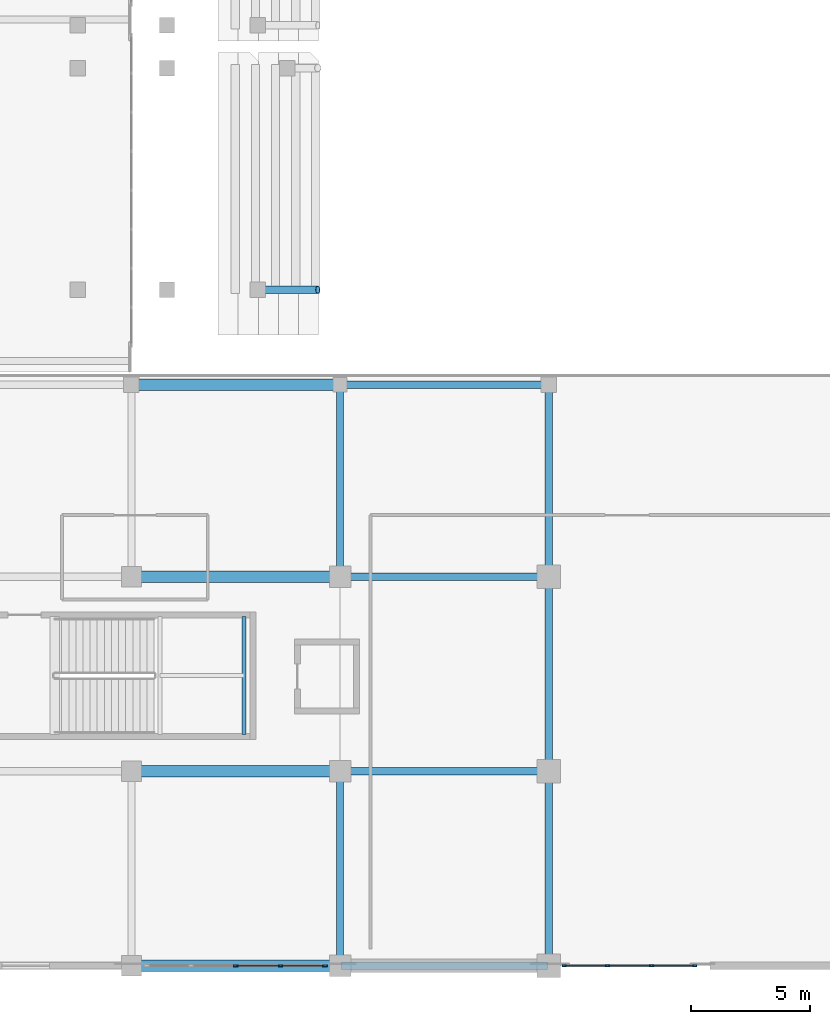
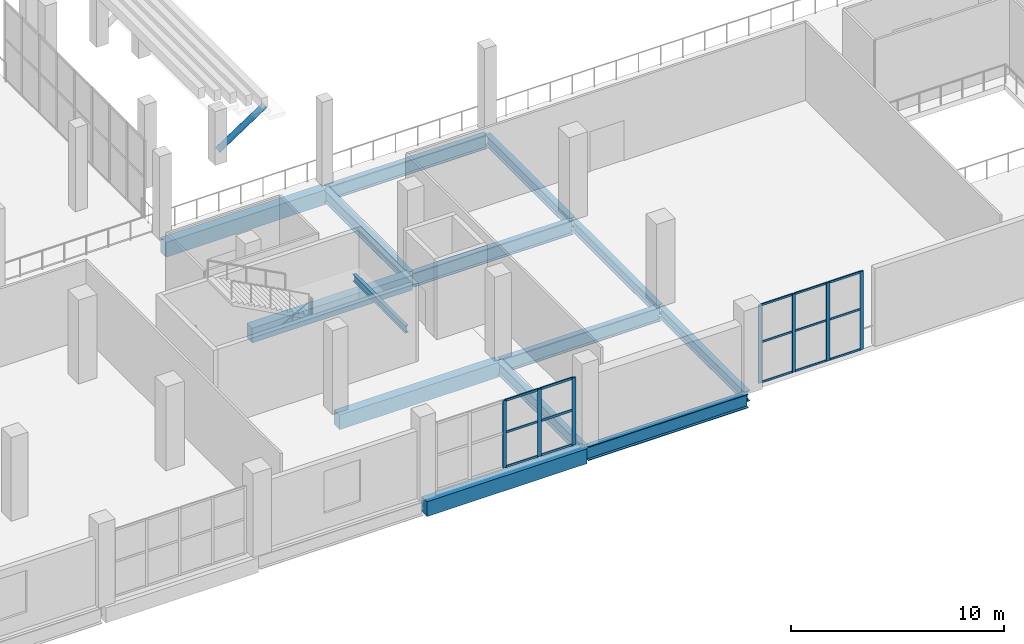
# One storey, part 25 of 142: 23 members, 14 beams, 2 elements without a shape of their own.
"""IFC4 building model written with IfcOpenShell, lengths in metres."""

from ifc_helpers import new_model, si_unit, direction, frame, origin, origin_2d, place, context, subcontext, project, spatial, rectangle, hollow_circle, i_section, extrude, material, material_profile, profile_set, type_object, element, aggregate, save


model = new_model("IFC4")

# Units and contexts
model_context = context("Model", 3, precision=1e-05, world=origin(), true_north=direction((0.0, 1.0)))
body_context = subcontext(model_context, "Body", "Model", "MODEL_VIEW")
ifc_project = project(units=[si_unit("LENGTHUNIT", "METRE"), si_unit("AREAUNIT", "SQUARE_METRE"), si_unit("VOLUMEUNIT", "CUBIC_METRE"), si_unit("PLANEANGLEUNIT", "RADIAN"), si_unit("MASSUNIT", "GRAM", prefix="KILO")], contexts=[model_context])

# Site, building, storey
site_placement = place(None, origin())
site = spatial("IfcSite", under=ifc_project, at=site_placement, CompositionType="ELEMENT")
building_placement = place(site_placement, origin())
building = spatial("IfcBuilding", under=site, at=building_placement, Name="Koshinbarg Plaza Stadium", CompositionType="ELEMENT")
storey_placement = place(building_placement, frame((0.0, 0.0, 10.199951171875)))
storey = spatial("IfcBuildingStorey", under=building, at=storey_placement, Name="L02", CompositionType="ELEMENT", Elevation=10.199951171875)

# Beams
ifc_material_1 = material(Name="Concrete C40/50", Category="concrete")
ifc_material_profile_1 = material_profile(ifc_material_1, rectangle(XDim=0.5, YDim=0.85009765625, at=origin_2d()), Name="RC 500x850")
ifc_profile_set_1 = profile_set([ifc_material_profile_1], Name="Concrete C40/50")
beam_type_1 = type_object("IfcBeamType", Name="BM-RCG-05", PredefinedType="USERDEFINED", material=ifc_profile_set_1)
for number, where, z_axis, x_axis, name in (
    (1, (63.659912109375, 0.0, -0.724853515625), (1.0, 0.0, 0.0), (0.0, 1.0, 0.0), "L02 X girder A/9-10"),
    (2, (63.659912109375, 8.199951171875, -0.724853515625), (1.0, 0.0, 0.0), (0.0, 1.0, 0.0), "L02 X girder B/9-10"),
    (3, (63.659912109375, 16.39990234375, -0.724853515625), (1.0, 0.0, 0.0), (0.0, 1.0, 0.0), "L02 X girder C/9-10"),
    (4, (63.659912109375, 24.5, -0.724853515625), (1.0, 0.0, 0.0), (0.0, 1.0, 0.0), "L02 X girder D/9-10"),
):
    element("IfcBeam", number, at=place(storey_placement, frame(where, z_axis=z_axis, x_axis=x_axis)), inside=storey, type_object=beam_type_1, Name=name, ObjectType="GIRDER", PredefinedType="USERDEFINED", context=body_context, shape_type="SweptSolid", body=[
        extrude(rectangle(XDim=0.5, YDim=0.85009765625, at=origin_2d()), origin(), (0.0, 0.0, 1.0), 8.68017578125),
    ])
ifc_material_2 = material(Name="Steel S355", Category="steel")
ifc_material_profile_2 = material_profile(ifc_material_2, i_section(OverallWidth=0.179931640625, OverallDepth=0.39990234375, WebThickness=0.008544921875, FlangeThickness=0.013427734375, at=origin_2d()), Name="IPE 400")
ifc_profile_set_2 = profile_set([ifc_material_profile_2], Name="Steel S355")
beam_type_2 = type_object("IfcBeamType", Name="BM-SBM-01", PredefinedType="BEAM", material=ifc_profile_set_2)
beam_1_placement = place(storey_placement, frame((68.35009765625, 9.75, 1.880126953125), z_axis=(0.0, 1.0, 0.0), x_axis=(-1.0, 0.0, 0.0)))
element("IfcBeam", 5, at=beam_1_placement, inside=storey, type_object=beam_type_2, Name="L02 Protected Exit Stair C13 landing trimmer beam 2", PredefinedType="BEAM", context=body_context, shape_type="SweptSolid", body=[
    extrude(i_section(OverallWidth=0.179931640625, OverallDepth=0.39990234375, WebThickness=0.008544921875, FlangeThickness=0.013427734375, at=origin_2d()), origin(), (0.0, 0.0, 1.0), 4.969970703125),
])
ifc_material_profile_3 = material_profile(ifc_material_2, i_section(OverallWidth=0.300048828125, OverallDepth=0.60009765625, WebThickness=0.015380859375, FlangeThickness=0.030029296875, at=origin_2d()), Name="HEB 600")
ifc_profile_set_3 = profile_set([ifc_material_profile_3], Name="Steel S355")
beam_type_3 = type_object("IfcBeamType", Name="BM-SGIR-02", PredefinedType="USERDEFINED", material=ifc_profile_set_3)
beam_2_placement = place(storey_placement, frame((81.199951171875, 0.06005859375, -0.599853515625), z_axis=(0.0, 1.0, 0.0), x_axis=(-1.0, 0.0, 0.0)))
element("IfcBeam", 6, at=beam_2_placement, inside=storey, type_object=beam_type_3, Name="L02 Y girder 11/A-B", ObjectType="GIRDER", PredefinedType="USERDEFINED", context=body_context, shape_type="SweptSolid", body=[
    extrude(i_section(OverallWidth=0.300048828125, OverallDepth=0.60009765625, WebThickness=0.015380859375, FlangeThickness=0.030029296875, at=origin_2d()), origin(), (0.0, 0.0, 1.0), 8.079833984375),
])
beam_3_placement = place(storey_placement, frame((81.199951171875, 8.260009765625, -0.599853515625), z_axis=(0.0, 1.0, 0.0), x_axis=(-1.0, 0.0, 0.0)))
element("IfcBeam", 7, at=beam_3_placement, inside=storey, type_object=beam_type_3, Name="L02 Y girder 11/B-C", ObjectType="GIRDER", PredefinedType="USERDEFINED", context=body_context, shape_type="SweptSolid", body=[
    extrude(i_section(OverallWidth=0.300048828125, OverallDepth=0.60009765625, WebThickness=0.015380859375, FlangeThickness=0.030029296875, at=origin_2d()), origin(), (0.0, 0.0, 1.0), 8.080078125),
])
beam_4_placement = place(storey_placement, frame((81.199951171875, 16.4599609375, -0.599853515625), z_axis=(0.0, 1.0, 0.0), x_axis=(-1.0, 0.0, 0.0)))
element("IfcBeam", 8, at=beam_4_placement, inside=storey, type_object=beam_type_3, Name="L02 Y girder 11/C-D", ObjectType="GIRDER", PredefinedType="USERDEFINED", context=body_context, shape_type="SweptSolid", body=[
    extrude(i_section(OverallWidth=0.300048828125, OverallDepth=0.60009765625, WebThickness=0.015380859375, FlangeThickness=0.030029296875, at=origin_2d()), origin(), (0.0, 0.0, 1.0), 7.97998046875),
])
ifc_material_profile_4 = material_profile(ifc_material_2, i_section(OverallWidth=0.300048828125, OverallDepth=0.699951171875, WebThickness=0.01708984375, FlangeThickness=0.031982421875, at=origin_2d()), Name="HEB 700")
ifc_profile_set_4 = profile_set([ifc_material_profile_4], Name="Steel S355")
beam_type_4 = type_object("IfcBeamType", Name="BM-SGIR-03", PredefinedType="USERDEFINED", material=ifc_profile_set_4)
beam_5_placement = place(storey_placement, frame((72.39990234375, 0.06005859375, -0.64990234375), z_axis=(0.0, 1.0, 0.0), x_axis=(-1.0, 0.0, 0.0)))
element("IfcBeam", 9, at=beam_5_placement, inside=storey, type_object=beam_type_4, Name="L02 Y girder 10/A-B", ObjectType="GIRDER", PredefinedType="USERDEFINED", context=body_context, shape_type="SweptSolid", body=[
    extrude(i_section(OverallWidth=0.300048828125, OverallDepth=0.699951171875, WebThickness=0.01708984375, FlangeThickness=0.031982421875, at=origin_2d()), origin(), (0.0, 0.0, 1.0), 8.079833984375),
])
beam_6_placement = place(storey_placement, frame((72.39990234375, 16.4599609375, -0.64990234375), z_axis=(0.0, 1.0, 0.0), x_axis=(-1.0, 0.0, 0.0)))
element("IfcBeam", 10, at=beam_6_placement, inside=storey, type_object=beam_type_4, Name="L02 Y girder 10/C-D", ObjectType="GIRDER", PredefinedType="USERDEFINED", context=body_context, shape_type="SweptSolid", body=[
    extrude(i_section(OverallWidth=0.300048828125, OverallDepth=0.699951171875, WebThickness=0.01708984375, FlangeThickness=0.031982421875, at=origin_2d()), origin(), (0.0, 0.0, 1.0), 7.97998046875),
])
ifc_material_profile_5 = material_profile(ifc_material_2, i_section(OverallWidth=0.300048828125, OverallDepth=0.800048828125, WebThickness=0.017578125, FlangeThickness=0.032958984375, at=origin_2d()), Name="HEB 800")
ifc_profile_set_5 = profile_set([ifc_material_profile_5], Name="Steel S355")
beam_type_5 = type_object("IfcBeamType", Name="BM-SGIR-04", PredefinedType="USERDEFINED", material=ifc_profile_set_5)
for number, where, z_axis, x_axis, name in (
    (11, (72.4599609375, 0.0, -0.699951171875), (1.0, 0.0, 0.0), (0.0, 1.0, 0.0), "L02 X girder A/10-11"),
    (12, (72.4599609375, 8.199951171875, -0.699951171875), (1.0, 0.0, 0.0), (0.0, 1.0, 0.0), "L02 X girder B/10-11"),
    (13, (72.4599609375, 16.39990234375, -0.699951171875), (1.0, 0.0, 0.0), (0.0, 1.0, 0.0), "L02 X girder C/10-11"),
    (14, (72.4599609375, 24.5, -0.699951171875), (1.0, 0.0, 0.0), (0.0, 1.0, 0.0), "L02 X girder D/10-11"),
):
    element("IfcBeam", number, at=place(storey_placement, frame(where, z_axis=z_axis, x_axis=x_axis)), inside=storey, type_object=beam_type_5, Name=name, ObjectType="GIRDER", PredefinedType="USERDEFINED", context=body_context, shape_type="SweptSolid", body=[
        extrude(i_section(OverallWidth=0.300048828125, OverallDepth=0.800048828125, WebThickness=0.017578125, FlangeThickness=0.032958984375, at=origin_2d()), origin(), (0.0, 0.0, 1.0), 8.679931640625),
    ])

# Curtain wall, members
ifc_material_3 = material(Name="Thermally broken anodised aluminium and low-E double glazing", Category="aluminium")
curtain_wall_type_1 = type_object("IfcCurtainWallType", Name="CW-SYS-03", PredefinedType="NOTDEFINED", material=ifc_material_3)
curtain_wall_1_placement = place(storey_placement, origin())
curtain_wall_1 = element("IfcCurtainWall", 15, at=curtain_wall_1_placement, inside=storey, type_object=curtain_wall_type_1, Name="L02 unitised curtain wall CW-L02-066", PredefinedType="NOTDEFINED")
ifc_material_4 = material(Name="Anodised aluminium mullion", Category="aluminium")
ifc_material_profile_6 = material_profile(ifc_material_4, rectangle(XDim=0.070068359375, YDim=0.179931640625, at=origin_2d()), Name="ALU 70x180")
ifc_profile_set_6 = profile_set([ifc_material_profile_6], Name="Anodised aluminium mullion")
member_type_1 = type_object("IfcMemberType", Name="CW-MUL-03", PredefinedType="MULLION", material=ifc_profile_set_6)
member_1_placement = place(storey_placement, frame((87.35009765625, 0.0, 0.0), z_axis=(0.0, 0.0, 1.0), x_axis=(0.0, -1.0, 0.0)))
member_1 = element("IfcMember", 16, at=member_1_placement, type_object=member_type_1, Name="CW03 mullion 1", PredefinedType="MULLION", context=body_context, shape_type="SweptSolid", body=[
    extrude(rectangle(XDim=0.070068359375, YDim=0.179931640625, at=origin_2d()), origin(), (0.0, 0.0, 1.0), 4.47998046875),
])
member_2_placement = place(storey_placement, frame((85.526611328125, 0.0, 0.0), z_axis=(0.0, 0.0, 1.0), x_axis=(0.0, -1.0, 0.0)))
member_2 = element("IfcMember", 17, at=member_2_placement, type_object=member_type_1, Name="CW03 mullion 2", PredefinedType="MULLION", context=body_context, shape_type="SweptSolid", body=[
    extrude(rectangle(XDim=0.070068359375, YDim=0.179931640625, at=origin_2d()), origin(), (0.0, 0.0, 1.0), 4.47998046875),
])
member_3_placement = place(storey_placement, frame((83.67333984375, 0.0, 0.0), z_axis=(0.0, 0.0, 1.0), x_axis=(0.0, -1.0, 0.0)))
member_3 = element("IfcMember", 18, at=member_3_placement, type_object=member_type_1, Name="CW03 mullion 3", PredefinedType="MULLION", context=body_context, shape_type="SweptSolid", body=[
    extrude(rectangle(XDim=0.070068359375, YDim=0.179931640625, at=origin_2d()), origin(), (0.0, 0.0, 1.0), 4.47998046875),
])
member_4_placement = place(storey_placement, frame((81.85009765625, 0.0, 0.0), z_axis=(0.0, 0.0, 1.0), x_axis=(0.0, -1.0, 0.0)))
member_4 = element("IfcMember", 19, at=member_4_placement, type_object=member_type_1, Name="CW03 mullion 4", PredefinedType="MULLION", context=body_context, shape_type="SweptSolid", body=[
    extrude(rectangle(XDim=0.070068359375, YDim=0.179931640625, at=origin_2d()), origin(), (0.0, 0.0, 1.0), 4.47998046875),
])

curtain_wall_type_2 = type_object("IfcCurtainWallType", Name="CW-SYS-04", PredefinedType="NOTDEFINED", material=ifc_material_3)
curtain_wall_2_placement = place(storey_placement, origin())
curtain_wall_2 = element("IfcCurtainWall", 20, at=curtain_wall_2_placement, inside=storey, type_object=curtain_wall_type_2, Name="L02 unitised curtain wall CW-L02-067", PredefinedType="NOTDEFINED")
ifc_material_profile_7 = material_profile(ifc_material_4, rectangle(XDim=0.070068359375, YDim=0.199951171875, at=origin_2d()), Name="ALU 70x200")
ifc_profile_set_7 = profile_set([ifc_material_profile_7], Name="Anodised aluminium mullion")
member_type_2 = type_object("IfcMemberType", Name="CW-MUL-04", PredefinedType="MULLION", material=ifc_profile_set_7)
member_5_placement = place(storey_placement, frame((71.75, 0.0, 0.0), z_axis=(0.0, 0.0, 1.0), x_axis=(0.0, -1.0, 0.0)))
member_5 = element("IfcMember", 21, at=member_5_placement, type_object=member_type_2, Name="CW04 mullion 1", PredefinedType="MULLION", context=body_context, shape_type="SweptSolid", body=[
    extrude(rectangle(XDim=0.070068359375, YDim=0.199951171875, at=origin_2d()), origin(), (0.0, 0.0, 1.0), 3.860107421875),
])
member_6_placement = place(storey_placement, frame((69.889892578125, 0.0, 0.0), z_axis=(0.0, 0.0, 1.0), x_axis=(0.0, -1.0, 0.0)))
member_6 = element("IfcMember", 22, at=member_6_placement, type_object=member_type_2, Name="CW04 mullion 2", PredefinedType="MULLION", context=body_context, shape_type="SweptSolid", body=[
    extrude(rectangle(XDim=0.070068359375, YDim=0.199951171875, at=origin_2d()), origin(), (0.0, 0.0, 1.0), 3.860107421875),
])
member_7_placement = place(storey_placement, frame((68.0, 0.0, 0.0), z_axis=(0.0, 0.0, 1.0), x_axis=(0.0, -1.0, 0.0)))
member_7 = element("IfcMember", 23, at=member_7_placement, type_object=member_type_2, Name="CW04 mullion 3", PredefinedType="MULLION", context=body_context, shape_type="SweptSolid", body=[
    extrude(rectangle(XDim=0.070068359375, YDim=0.199951171875, at=origin_2d()), origin(), (0.0, 0.0, 1.0), 3.860107421875),
])

# Member
ifc_material_5 = material(Name="Anodised aluminium transom", Category="aluminium")
ifc_material_profile_8 = material_profile(ifc_material_5, rectangle(XDim=0.06005859375, YDim=0.110107421875, at=origin_2d()), Name="ALU 60x110")
ifc_profile_set_8 = profile_set([ifc_material_profile_8], Name="Anodised aluminium transom")
member_type_3 = type_object("IfcMemberType", Name="CW-TRN-01", PredefinedType="USERDEFINED", material=ifc_profile_set_8)
member_8_placement = place(storey_placement, frame((87.320068359375, 0.0, 0.030029296875), z_axis=(-1.0, 0.0, 0.0), x_axis=(0.0, -1.0, 0.0)))
member_8 = element("IfcMember", 24, at=member_8_placement, type_object=member_type_3, Name="CW03 transom 1.1", ObjectType="TRANSOM", PredefinedType="USERDEFINED", context=body_context, shape_type="SweptSolid", body=[
    extrude(rectangle(XDim=0.06005859375, YDim=0.110107421875, at=origin_2d()), origin(), (0.0, 0.0, 1.0), 1.763427734375),
])

member_9_placement = place(storey_placement, frame((87.320068359375, 0.0, 2.32958984375), z_axis=(-1.0, 0.0, 0.0), x_axis=(0.0, -1.0, 0.0)))
member_9 = element("IfcMember", 25, at=member_9_placement, type_object=member_type_3, Name="CW03 transom 1.2", ObjectType="TRANSOM", PredefinedType="USERDEFINED", context=body_context, shape_type="SweptSolid", body=[
    extrude(rectangle(XDim=0.06005859375, YDim=0.110107421875, at=origin_2d()), origin(), (0.0, 0.0, 1.0), 1.763427734375),
])

member_10_placement = place(storey_placement, frame((87.320068359375, 0.0, 4.449951171875), z_axis=(-1.0, 0.0, 0.0), x_axis=(0.0, -1.0, 0.0)))
member_10 = element("IfcMember", 26, at=member_10_placement, type_object=member_type_3, Name="CW03 transom 1.3", ObjectType="TRANSOM", PredefinedType="USERDEFINED", context=body_context, shape_type="SweptSolid", body=[
    extrude(rectangle(XDim=0.06005859375, YDim=0.110107421875, at=origin_2d()), origin(), (0.0, 0.0, 1.0), 1.763427734375),
])

member_11_placement = place(storey_placement, frame((85.49658203125, 0.0, 0.030029296875), z_axis=(-1.0, 0.0, 0.0), x_axis=(0.0, -1.0, 0.0)))
member_11 = element("IfcMember", 27, at=member_11_placement, type_object=member_type_3, Name="CW03 transom 2.1", ObjectType="TRANSOM", PredefinedType="USERDEFINED", context=body_context, shape_type="SweptSolid", body=[
    extrude(rectangle(XDim=0.06005859375, YDim=0.110107421875, at=origin_2d()), origin(), (0.0, 0.0, 1.0), 1.793212890625),
])

member_12_placement = place(storey_placement, frame((85.49658203125, 0.0, 2.32958984375), z_axis=(-1.0, 0.0, 0.0), x_axis=(0.0, -1.0, 0.0)))
member_12 = element("IfcMember", 28, at=member_12_placement, type_object=member_type_3, Name="CW03 transom 2.2", ObjectType="TRANSOM", PredefinedType="USERDEFINED", context=body_context, shape_type="SweptSolid", body=[
    extrude(rectangle(XDim=0.06005859375, YDim=0.110107421875, at=origin_2d()), origin(), (0.0, 0.0, 1.0), 1.793212890625),
])

member_13_placement = place(storey_placement, frame((85.49658203125, 0.0, 4.449951171875), z_axis=(-1.0, 0.0, 0.0), x_axis=(0.0, -1.0, 0.0)))
member_13 = element("IfcMember", 29, at=member_13_placement, type_object=member_type_3, Name="CW03 transom 2.3", ObjectType="TRANSOM", PredefinedType="USERDEFINED", context=body_context, shape_type="SweptSolid", body=[
    extrude(rectangle(XDim=0.06005859375, YDim=0.110107421875, at=origin_2d()), origin(), (0.0, 0.0, 1.0), 1.793212890625),
])

member_14_placement = place(storey_placement, frame((83.643310546875, 0.0, 0.030029296875), z_axis=(-1.0, 0.0, 0.0), x_axis=(0.0, -1.0, 0.0)))
member_14 = element("IfcMember", 30, at=member_14_placement, type_object=member_type_3, Name="CW03 transom 3.1", ObjectType="TRANSOM", PredefinedType="USERDEFINED", context=body_context, shape_type="SweptSolid", body=[
    extrude(rectangle(XDim=0.06005859375, YDim=0.110107421875, at=origin_2d()), origin(), (0.0, 0.0, 1.0), 1.763427734375),
])

member_15_placement = place(storey_placement, frame((83.643310546875, 0.0, 2.32958984375), z_axis=(-1.0, 0.0, 0.0), x_axis=(0.0, -1.0, 0.0)))
member_15 = element("IfcMember", 31, at=member_15_placement, type_object=member_type_3, Name="CW03 transom 3.2", ObjectType="TRANSOM", PredefinedType="USERDEFINED", context=body_context, shape_type="SweptSolid", body=[
    extrude(rectangle(XDim=0.06005859375, YDim=0.110107421875, at=origin_2d()), origin(), (0.0, 0.0, 1.0), 1.763427734375),
])

member_16_placement = place(storey_placement, frame((83.643310546875, 0.0, 4.449951171875), z_axis=(-1.0, 0.0, 0.0), x_axis=(0.0, -1.0, 0.0)))
member_16 = element("IfcMember", 32, at=member_16_placement, type_object=member_type_3, Name="CW03 transom 3.3", ObjectType="TRANSOM", PredefinedType="USERDEFINED", context=body_context, shape_type="SweptSolid", body=[
    extrude(rectangle(XDim=0.06005859375, YDim=0.110107421875, at=origin_2d()), origin(), (0.0, 0.0, 1.0), 1.763427734375),
])

aggregate(curtain_wall_1, [member_1, member_2, member_3, member_4, member_8, member_9, member_10, member_11, member_12, member_13, member_14, member_15, member_16])

ifc_material_profile_9 = material_profile(ifc_material_5, rectangle(XDim=0.06005859375, YDim=0.1298828125, at=origin_2d()), Name="ALU 60x130")
ifc_profile_set_9 = profile_set([ifc_material_profile_9], Name="Anodised aluminium transom")
member_type_4 = type_object("IfcMemberType", Name="CW-TRN-02", PredefinedType="USERDEFINED", material=ifc_profile_set_9)
member_17_placement = place(storey_placement, frame((71.719970703125, 0.0, 0.030029296875), z_axis=(-1.0, 0.0, 0.0), x_axis=(0.0, -1.0, 0.0)))
member_17 = element("IfcMember", 33, at=member_17_placement, type_object=member_type_4, Name="CW04 transom 1.1", ObjectType="TRANSOM", PredefinedType="USERDEFINED", context=body_context, shape_type="SweptSolid", body=[
    extrude(rectangle(XDim=0.06005859375, YDim=0.1298828125, at=origin_2d()), origin(), (0.0, 0.0, 1.0), 1.800048828125),
])

member_18_placement = place(storey_placement, frame((71.719970703125, 0.0, 2.00732421875), z_axis=(-1.0, 0.0, 0.0), x_axis=(0.0, -1.0, 0.0)))
member_18 = element("IfcMember", 34, at=member_18_placement, type_object=member_type_4, Name="CW04 transom 1.2", ObjectType="TRANSOM", PredefinedType="USERDEFINED", context=body_context, shape_type="SweptSolid", body=[
    extrude(rectangle(XDim=0.06005859375, YDim=0.1298828125, at=origin_2d()), origin(), (0.0, 0.0, 1.0), 1.800048828125),
])

member_19_placement = place(storey_placement, frame((71.719970703125, 0.0, 3.830078125), z_axis=(-1.0, 0.0, 0.0), x_axis=(0.0, -1.0, 0.0)))
member_19 = element("IfcMember", 35, at=member_19_placement, type_object=member_type_4, Name="CW04 transom 1.3", ObjectType="TRANSOM", PredefinedType="USERDEFINED", context=body_context, shape_type="SweptSolid", body=[
    extrude(rectangle(XDim=0.06005859375, YDim=0.1298828125, at=origin_2d()), origin(), (0.0, 0.0, 1.0), 1.800048828125),
])

member_20_placement = place(storey_placement, frame((69.860107421875, 0.0, 0.030029296875), z_axis=(-1.0, 0.0, 0.0), x_axis=(0.0, -1.0, 0.0)))
member_20 = element("IfcMember", 36, at=member_20_placement, type_object=member_type_4, Name="CW04 transom 2.1", ObjectType="TRANSOM", PredefinedType="USERDEFINED", context=body_context, shape_type="SweptSolid", body=[
    extrude(rectangle(XDim=0.06005859375, YDim=0.1298828125, at=origin_2d()), origin(), (0.0, 0.0, 1.0), 1.830078125),
])

member_21_placement = place(storey_placement, frame((69.860107421875, 0.0, 2.00732421875), z_axis=(-1.0, 0.0, 0.0), x_axis=(0.0, -1.0, 0.0)))
member_21 = element("IfcMember", 37, at=member_21_placement, type_object=member_type_4, Name="CW04 transom 2.2", ObjectType="TRANSOM", PredefinedType="USERDEFINED", context=body_context, shape_type="SweptSolid", body=[
    extrude(rectangle(XDim=0.06005859375, YDim=0.1298828125, at=origin_2d()), origin(), (0.0, 0.0, 1.0), 1.830078125),
])

member_22_placement = place(storey_placement, frame((69.860107421875, 0.0, 3.830078125), z_axis=(-1.0, 0.0, 0.0), x_axis=(0.0, -1.0, 0.0)))
member_22 = element("IfcMember", 38, at=member_22_placement, type_object=member_type_4, Name="CW04 transom 2.3", ObjectType="TRANSOM", PredefinedType="USERDEFINED", context=body_context, shape_type="SweptSolid", body=[
    extrude(rectangle(XDim=0.06005859375, YDim=0.1298828125, at=origin_2d()), origin(), (0.0, 0.0, 1.0), 1.830078125),
])

aggregate(curtain_wall_2, [member_5, member_6, member_7, member_17, member_18, member_19, member_20, member_21, member_22])

ifc_material_profile_10 = material_profile(ifc_material_2, hollow_circle(Radius=0.161865234375, WallThickness=0.01416015625, at=origin_2d()), Name="CHS 323.9x14.2")
ifc_profile_set_10 = profile_set([ifc_material_profile_10], Name="Steel S355")
member_type_5 = type_object("IfcMemberType", Name="MB-BRACE-01", PredefinedType="BRACE", material=ifc_profile_set_10)
member_23_placement = place(storey_placement, frame((68.919921875, 28.5, 0.582763671875), z_axis=(0.8349280335, 0.0, 0.550359136269), x_axis=(0.0, 1.0, 0.0)))
element("IfcMember", 39, at=member_23_placement, inside=storey, type_object=member_type_5, Name="Upper tier cantilever knee strut UT-W01-L", PredefinedType="BRACE", context=body_context, shape_type="SweptSolid", body=[
    extrude(hollow_circle(Radius=0.161865234375, WallThickness=0.01416015625, at=origin_2d()), origin(), (0.0, 0.0, 1.0), 3.042236328125),
])

save(model, "model.ifc")
